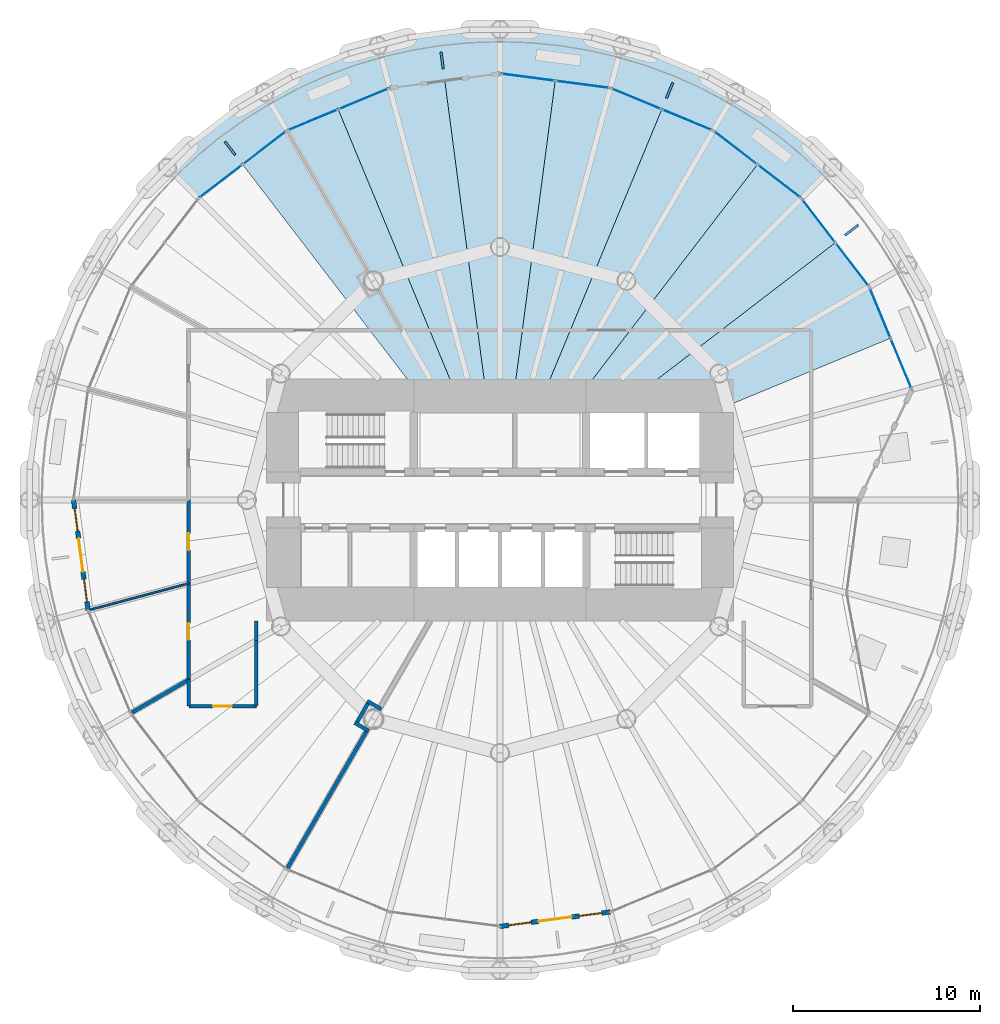
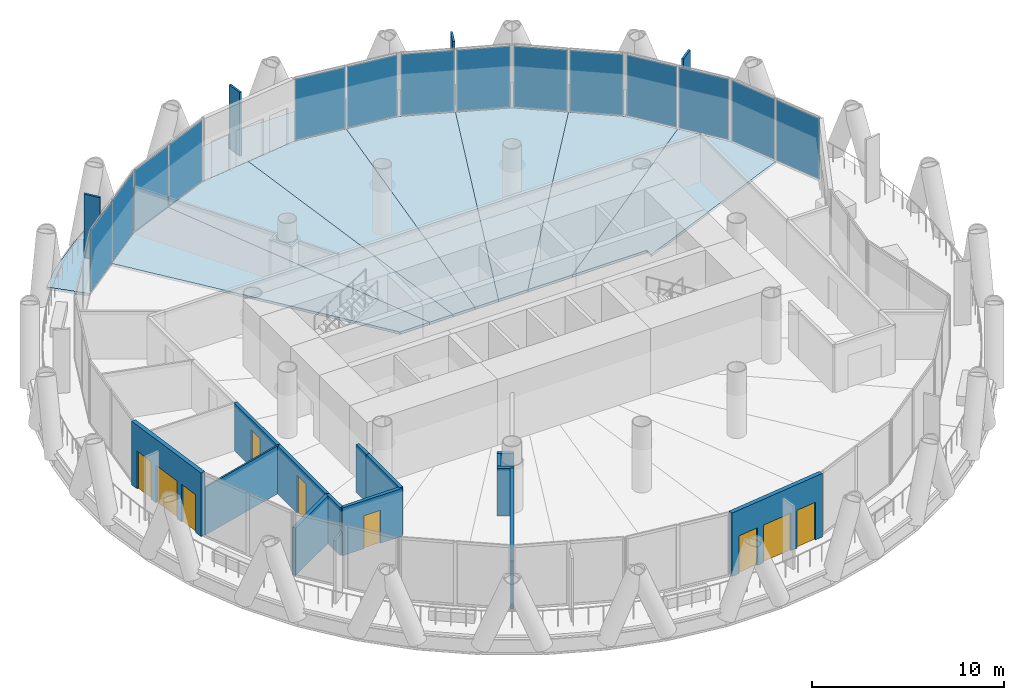
# One storey, part 9 of 15: 18 plates, 14 walls, 8 slabs, 5 doors, 4 windows, 9 openings, 7 elements without a shape of their own.
"""IFC4 building model written with IfcOpenShell, lengths in metres."""

from ifc_helpers import new_model, si_unit, direction, frame, frame_2d, origin, origin_2d, place, context, subcontext, project, spatial, polyline, rectangle, outline, extrude, material, layer, layer_set, type_object, element, fill, aggregate, save


model = new_model("IFC4")

# Units and contexts
model_context = context("Model", 3, precision=1e-05, world=origin(), true_north=direction((0.0, 1.0)))
body_context = subcontext(model_context, "Body", "Model", "MODEL_VIEW")
ifc_project = project(units=[si_unit("LENGTHUNIT", "METRE"), si_unit("AREAUNIT", "SQUARE_METRE"), si_unit("VOLUMEUNIT", "CUBIC_METRE"), si_unit("PLANEANGLEUNIT", "RADIAN"), si_unit("MASSUNIT", "GRAM", prefix="KILO")], contexts=[model_context])

# Site, building, storey
site_placement = place(None, origin())
site = spatial("IfcSite", under=ifc_project, at=site_placement, CompositionType="ELEMENT")
building_placement = place(site_placement, origin())
building = spatial("IfcBuilding", under=site, at=building_placement, Name="Qaws Media Tower", CompositionType="ELEMENT")
storey_placement = place(building_placement, frame((0.0, 0.0, 122.60009765625)))
storey = spatial("IfcBuildingStorey", under=building, at=storey_placement, Name="L27", CompositionType="ELEMENT", Elevation=122.60009765625)

# Slabs
ifc_material_1 = material(Name="Concrete C35/45", Category="concrete")
ifc_layer_1 = layer(ifc_material_1, 0.159912109375)
ifc_layer_set_1 = layer_set([ifc_layer_1], Name="Composite balcony slab 160")
slab_type_1 = type_object("IfcSlabType", Name="Composite balcony slab 160", PredefinedType="FLOOR", material=ifc_layer_set_1)
slab_1_placement = place(storey_placement, frame((0.0, 0.0, -0.16015625)))
element("IfcSlab", 1, at=slab_1_placement, inside=storey, type_object=slab_type_1, Name="S2 balcony slab L27 R04 to R10, movement joints on R04 and R10", PredefinedType="FLOOR", context=body_context, shape_type="SweptSolid", body=[
    extrude(outline(polyline([(43.41748046875, 68.90869140625), (46.02734375, 70.91162109375), (48.87646484375, 72.556396484375), (51.915771484375, 73.815185546875), (55.093505859375, 74.666748046875), (58.35498046875, 75.09619140625), (61.64501953125, 75.09619140625), (64.906494140625, 74.666748046875), (68.084228515625, 73.815185546875), (71.12353515625, 72.556396484375), (73.97265625, 70.91162109375), (76.58251953125, 68.90869140625), (77.74560546875, 67.74560546875), (76.086669921875, 66.086669921875), (71.375, 69.7021484375), (65.88818359375, 71.974853515625), (60.0, 72.75), (54.11181640625, 71.974853515625), (48.625, 69.7021484375), (43.913330078125, 66.086669921875), (42.25439453125, 67.74560546875), (43.41748046875, 68.90869140625)])), origin(), (0.0, 0.0, 1.0), 0.16015625),
])
ifc_material_2 = material(Name="Concrete C35/45", Category="concrete")
ifc_layer_2 = layer(ifc_material_2, 0.159912109375)
ifc_layer_set_2 = layer_set([ifc_layer_2], Name="Composite floor slab 160")
slab_type_2 = type_object("IfcSlabType", Name="Composite floor slab 160", PredefinedType="FLOOR", material=ifc_layer_set_2)
slab_2_placement = place(storey_placement, frame((0.0, 0.0, -0.16015625)))
element("IfcSlab", 2, at=slab_2_placement, inside=storey, type_object=slab_type_2, Name="S1 floor panel L27 on R03", PredefinedType="FLOOR", context=body_context, shape_type="SweptSolid", body=[
    extrude(outline(polyline([(79.7021484375, 61.375), (80.83837890625, 58.631591796875), (71.0, 54.556396484375), (71.0, 55.0), (66.51611328125, 55.0), (77.894287109375, 63.730712890625), (79.7021484375, 61.375)])), origin(), (0.0, 0.0, 1.0), 0.16015625),
])
slab_3_placement = place(storey_placement, frame((0.0, 0.0, -0.16015625)))
element("IfcSlab", 3, at=slab_3_placement, inside=storey, type_object=slab_type_2, Name="S1 floor panel L27 on R04", PredefinedType="FLOOR", context=body_context, shape_type="SweptSolid", body=[
    extrude(outline(polyline([(76.086669921875, 66.086669921875), (77.894287109375, 63.730712890625), (66.51611328125, 55.0), (63.836669921875, 55.0), (73.730712890625, 67.894287109375), (76.086669921875, 66.086669921875)])), origin(), (0.0, 0.0, 1.0), 0.16015625),
])
slab_4_placement = place(storey_placement, frame((0.0, 0.0, -0.16015625)))
element("IfcSlab", 4, at=slab_4_placement, inside=storey, type_object=slab_type_2, Name="S1 floor panel L27 on R05", PredefinedType="FLOOR", context=body_context, shape_type="SweptSolid", body=[
    extrude(outline(polyline([(71.375, 69.7021484375), (73.730712890625, 67.894287109375), (63.836669921875, 55.0), (62.071044921875, 55.0), (68.631591796875, 70.83837890625), (71.375, 69.7021484375)])), origin(), (0.0, 0.0, 1.0), 0.16015625),
])
slab_5_placement = place(storey_placement, frame((0.0, 0.0, -0.16015625)))
element("IfcSlab", 5, at=slab_5_placement, inside=storey, type_object=slab_type_2, Name="S1 floor panel L27 on R06", PredefinedType="FLOOR", context=body_context, shape_type="SweptSolid", body=[
    extrude(outline(polyline([(65.88818359375, 71.974853515625), (68.631591796875, 70.83837890625), (62.071044921875, 55.0), (60.658203125, 55.0), (62.944091796875, 72.3623046875), (65.88818359375, 71.974853515625)])), origin(), (0.0, 0.0, 1.0), 0.16015625),
])
slab_6_placement = place(storey_placement, frame((0.0, 0.0, -0.16015625)))
element("IfcSlab", 6, at=slab_6_placement, inside=storey, type_object=slab_type_2, Name="S1 floor panel L27 on R07", PredefinedType="FLOOR", context=body_context, shape_type="SweptSolid", body=[
    extrude(outline(polyline([(60.0, 72.75), (62.944091796875, 72.3623046875), (60.658203125, 55.0), (59.341796875, 55.0), (57.055908203125, 72.3623046875), (60.0, 72.75)])), origin(), (0.0, 0.0, 1.0), 0.16015625),
])
slab_7_placement = place(storey_placement, frame((0.0, 0.0, -0.16015625)))
element("IfcSlab", 7, at=slab_7_placement, inside=storey, type_object=slab_type_2, Name="S1 floor panel L27 on R08", PredefinedType="FLOOR", context=body_context, shape_type="SweptSolid", body=[
    extrude(outline(polyline([(54.11181640625, 71.974853515625), (57.055908203125, 72.3623046875), (59.341796875, 55.0), (57.928955078125, 55.0), (51.368408203125, 70.83837890625), (54.11181640625, 71.974853515625)])), origin(), (0.0, 0.0, 1.0), 0.16015625),
])
slab_8_placement = place(storey_placement, frame((0.0, 0.0, -0.16015625)))
element("IfcSlab", 8, at=slab_8_placement, inside=storey, type_object=slab_type_2, Name="S1 floor panel L27 on R09", PredefinedType="FLOOR", context=body_context, shape_type="SweptSolid", body=[
    extrude(outline(polyline([(48.625, 69.7021484375), (51.368408203125, 70.83837890625), (57.928955078125, 55.0), (56.163330078125, 55.0), (46.269287109375, 67.894287109375), (48.625, 69.7021484375)])), origin(), (0.0, 0.0, 1.0), 0.16015625),
])

# Curtain wall, plates
ifc_material_3 = material(Name="Aluminium and clear glass", Category="aluminium")
curtain_wall_type = type_object("IfcCurtainWallType", Name="Unitised curtain wall CW-B", PredefinedType="NOTDEFINED", material=ifc_material_3)
curtain_wall_1_placement = place(storey_placement, origin())
curtain_wall_1 = element("IfcCurtainWall", 9, at=curtain_wall_1_placement, inside=storey, type_object=curtain_wall_type, Name="CWB curtain wall L27-02", PredefinedType="NOTDEFINED")
ifc_material_4 = material(Name="Clear laminated double glazing", Category="glass")
ifc_layer_3 = layer(ifc_material_4, 0.031982421875)
ifc_layer_set_3 = layer_set([ifc_layer_3], Name="Curtain wall glass unit 32")
plate_type_1 = type_object("IfcPlateType", Name="Curtain wall glass unit 32", PredefinedType="CURTAIN_PANEL", material=ifc_layer_set_3)
plate_1_placement = place(storey_placement, frame((81.39892578125, 57.2783203125, 0.080078125), z_axis=(0.0, 0.0, 1.0), x_axis=(-0.382683471693, 0.923879516221, 0.0)))
plate_1 = element("IfcPlate", 10, at=plate_1_placement, type_object=plate_type_1, Name="CWB panel 1.1", PredefinedType="CURTAIN_PANEL", context=body_context, shape_type="SweptSolid", body=[
    extrude(rectangle(XDim=2.849365234375, YDim=0.031982421875, at=origin_2d()), origin(), (0.0, 0.0, 1.0), 3.8798828125),
])
plate_2_placement = place(storey_placement, frame((80.27783203125, 59.98486328125, 0.080078125), z_axis=(0.0, 0.0, 1.0), x_axis=(-0.382683471693, 0.923879516221, 0.0)))
plate_2 = element("IfcPlate", 11, at=plate_2_placement, type_object=plate_type_1, Name="CWB panel 2.1", PredefinedType="CURTAIN_PANEL", context=body_context, shape_type="SweptSolid", body=[
    extrude(rectangle(XDim=2.849365234375, YDim=0.031982421875, at=origin_2d()), origin(), (0.0, 0.0, 1.0), 3.8798828125),
])
aggregate(curtain_wall_1, [plate_1, plate_2])

curtain_wall_2_placement = place(storey_placement, origin())
curtain_wall_2 = element("IfcCurtainWall", 12, at=curtain_wall_2_placement, inside=storey, type_object=curtain_wall_type, Name="CWB curtain wall L27-03", PredefinedType="NOTDEFINED")
plate_3_placement = place(storey_placement, frame((78.7861328125, 62.56884765625, 0.080078125), z_axis=(0.0, 0.0, 1.0), x_axis=(-0.608761486721, 0.793353296007, 0.0)))
plate_3 = element("IfcPlate", 13, at=plate_3_placement, type_object=plate_type_1, Name="CWB panel 1.1", PredefinedType="CURTAIN_PANEL", context=body_context, shape_type="SweptSolid", body=[
    extrude(rectangle(XDim=2.849365234375, YDim=0.031982421875, at=origin_2d()), origin(), (0.0, 0.0, 1.0), 3.8798828125),
])
plate_4_placement = place(storey_placement, frame((77.002685546875, 64.892822265625, 0.080078125), z_axis=(0.0, 0.0, 1.0), x_axis=(-0.608761486721, 0.793353296007, 0.0)))
plate_4 = element("IfcPlate", 14, at=plate_4_placement, type_object=plate_type_1, Name="CWB panel 2.1", PredefinedType="CURTAIN_PANEL", context=body_context, shape_type="SweptSolid", body=[
    extrude(rectangle(XDim=2.849365234375, YDim=0.031982421875, at=origin_2d()), origin(), (0.0, 0.0, 1.0), 3.8798828125),
])
aggregate(curtain_wall_2, [plate_3, plate_4])

curtain_wall_3_placement = place(storey_placement, origin())
curtain_wall_3 = element("IfcCurtainWall", 15, at=curtain_wall_3_placement, inside=storey, type_object=curtain_wall_type, Name="CWB curtain wall L27-04", PredefinedType="NOTDEFINED")
plate_5_placement = place(storey_placement, frame((74.892822265625, 67.002685546875, 0.080078125), z_axis=(0.0, 0.0, 1.0), x_axis=(-0.793353296007, 0.608761486721, 0.0)))
plate_5 = element("IfcPlate", 16, at=plate_5_placement, type_object=plate_type_1, Name="CWB panel 1.1", PredefinedType="CURTAIN_PANEL", context=body_context, shape_type="SweptSolid", body=[
    extrude(rectangle(XDim=2.849365234375, YDim=0.031982421875, at=origin_2d()), origin(), (0.0, 0.0, 1.0), 3.8798828125),
])
plate_6_placement = place(storey_placement, frame((72.56884765625, 68.7861328125, 0.080078125), z_axis=(0.0, 0.0, 1.0), x_axis=(-0.793353296007, 0.608761486721, 0.0)))
plate_6 = element("IfcPlate", 17, at=plate_6_placement, type_object=plate_type_1, Name="CWB panel 2.1", PredefinedType="CURTAIN_PANEL", context=body_context, shape_type="SweptSolid", body=[
    extrude(rectangle(XDim=2.849365234375, YDim=0.031982421875, at=origin_2d()), origin(), (0.0, 0.0, 1.0), 3.8798828125),
])
aggregate(curtain_wall_3, [plate_5, plate_6])

curtain_wall_4_placement = place(storey_placement, origin())
curtain_wall_4 = element("IfcCurtainWall", 18, at=curtain_wall_4_placement, inside=storey, type_object=curtain_wall_type, Name="CWB curtain wall L27-05", PredefinedType="NOTDEFINED")
plate_7_placement = place(storey_placement, frame((69.98486328125, 70.27783203125, 0.080078125), z_axis=(0.0, 0.0, 1.0), x_axis=(-0.923879516221, 0.382683471693, 0.0)))
plate_7 = element("IfcPlate", 19, at=plate_7_placement, type_object=plate_type_1, Name="CWB panel 1.1", PredefinedType="CURTAIN_PANEL", context=body_context, shape_type="SweptSolid", body=[
    extrude(rectangle(XDim=2.849365234375, YDim=0.031982421875, at=origin_2d()), origin(), (0.0, 0.0, 1.0), 3.8798828125),
])
plate_8_placement = place(storey_placement, frame((67.2783203125, 71.39892578125, 0.080078125), z_axis=(0.0, 0.0, 1.0), x_axis=(-0.923879516221, 0.382683471693, 0.0)))
plate_8 = element("IfcPlate", 20, at=plate_8_placement, type_object=plate_type_1, Name="CWB panel 2.1", PredefinedType="CURTAIN_PANEL", context=body_context, shape_type="SweptSolid", body=[
    extrude(rectangle(XDim=2.849365234375, YDim=0.031982421875, at=origin_2d()), origin(), (0.0, 0.0, 1.0), 3.8798828125),
])
aggregate(curtain_wall_4, [plate_7, plate_8])

curtain_wall_5_placement = place(storey_placement, origin())
curtain_wall_5 = element("IfcCurtainWall", 21, at=curtain_wall_5_placement, inside=storey, type_object=curtain_wall_type, Name="CWB curtain wall L27-06", PredefinedType="NOTDEFINED")
plate_9_placement = place(storey_placement, frame((64.396240234375, 72.171142578125, 0.080078125), z_axis=(0.0, 0.0, 1.0), x_axis=(-0.991444870429, 0.130526123437, 0.0)))
plate_9 = element("IfcPlate", 22, at=plate_9_placement, type_object=plate_type_1, Name="CWB panel 1.1", PredefinedType="CURTAIN_PANEL", context=body_context, shape_type="SweptSolid", body=[
    extrude(rectangle(XDim=2.849365234375, YDim=0.031982421875, at=origin_2d()), origin(), (0.0, 0.0, 1.0), 3.8798828125),
])
plate_10_placement = place(storey_placement, frame((61.491943359375, 72.5537109375, 0.080078125), z_axis=(0.0, 0.0, 1.0), x_axis=(-0.991444870429, 0.130526123437, 0.0)))
plate_10 = element("IfcPlate", 23, at=plate_10_placement, type_object=plate_type_1, Name="CWB panel 2.1", PredefinedType="CURTAIN_PANEL", context=body_context, shape_type="SweptSolid", body=[
    extrude(rectangle(XDim=2.849365234375, YDim=0.031982421875, at=origin_2d()), origin(), (0.0, 0.0, 1.0), 3.8798828125),
])
aggregate(curtain_wall_5, [plate_9, plate_10])

curtain_wall_6_placement = place(storey_placement, origin())
curtain_wall_6 = element("IfcCurtainWall", 24, at=curtain_wall_6_placement, inside=storey, type_object=curtain_wall_type, Name="CWB curtain wall L27-08", PredefinedType="NOTDEFINED")
plate_11_placement = place(storey_placement, frame((52.7216796875, 71.39892578125, 0.080078125), z_axis=(0.0, 0.0, 1.0), x_axis=(-0.923879516221, -0.382683471693, 0.0)))
plate_11 = element("IfcPlate", 25, at=plate_11_placement, type_object=plate_type_1, Name="CWB panel 1.1", PredefinedType="CURTAIN_PANEL", context=body_context, shape_type="SweptSolid", body=[
    extrude(rectangle(XDim=2.849365234375, YDim=0.031982421875, at=origin_2d()), origin(), (0.0, 0.0, 1.0), 3.8798828125),
])
plate_12_placement = place(storey_placement, frame((50.01513671875, 70.27783203125, 0.080078125), z_axis=(0.0, 0.0, 1.0), x_axis=(-0.923879516221, -0.382683471693, 0.0)))
plate_12 = element("IfcPlate", 26, at=plate_12_placement, type_object=plate_type_1, Name="CWB panel 2.1", PredefinedType="CURTAIN_PANEL", context=body_context, shape_type="SweptSolid", body=[
    extrude(rectangle(XDim=2.849365234375, YDim=0.031982421875, at=origin_2d()), origin(), (0.0, 0.0, 1.0), 3.8798828125),
])
aggregate(curtain_wall_6, [plate_11, plate_12])

curtain_wall_7_placement = place(storey_placement, origin())
curtain_wall_7 = element("IfcCurtainWall", 27, at=curtain_wall_7_placement, inside=storey, type_object=curtain_wall_type, Name="CWB curtain wall L27-09", PredefinedType="NOTDEFINED")
plate_13_placement = place(storey_placement, frame((47.43115234375, 68.7861328125, 0.080078125), z_axis=(0.0, 0.0, 1.0), x_axis=(-0.793353296007, -0.608761486721, 0.0)))
plate_13 = element("IfcPlate", 28, at=plate_13_placement, type_object=plate_type_1, Name="CWB panel 1.1", PredefinedType="CURTAIN_PANEL", context=body_context, shape_type="SweptSolid", body=[
    extrude(rectangle(XDim=2.849365234375, YDim=0.031982421875, at=origin_2d()), origin(), (0.0, 0.0, 1.0), 3.8798828125),
])
plate_14_placement = place(storey_placement, frame((45.107177734375, 67.002685546875, 0.080078125), z_axis=(0.0, 0.0, 1.0), x_axis=(-0.793353296007, -0.608761486721, 0.0)))
plate_14 = element("IfcPlate", 29, at=plate_14_placement, type_object=plate_type_1, Name="CWB panel 2.1", PredefinedType="CURTAIN_PANEL", context=body_context, shape_type="SweptSolid", body=[
    extrude(rectangle(XDim=2.849365234375, YDim=0.031982421875, at=origin_2d()), origin(), (0.0, 0.0, 1.0), 3.8798828125),
])
aggregate(curtain_wall_7, [plate_13, plate_14])

# Plates
ifc_material_5 = material(Name="Precast concrete screen fin", Category="concrete")
ifc_layer_4 = layer(ifc_material_5, 0.1201171875)
ifc_layer_set_4 = layer_set([ifc_layer_4], Name="Screen fin 120x900")
plate_type_2 = type_object("IfcPlateType", Name="Screen fin 120x900", PredefinedType="USERDEFINED", material=ifc_layer_set_4)
for number, where, z_axis, x_axis, name in (
    (30, (78.7626953125, 64.397216796875, 0.0), (0.0, 0.0, 1.0), (0.793353340291, 0.608761429009, 0.0), "SCR1 screen fin L27-02"),
    (31, (69.050537109375, 71.849853515625, 0.0), (0.0, 0.0, 1.0), (0.382683432365, 0.923879532511, 0.0), "SCR1 screen fin L27-03"),
    (32, (56.9130859375, 73.44775390625, 0.0), (0.0, 0.0, 1.0), (-0.13052619222, 0.991444861374, 0.0), "SCR1 screen fin L27-04"),
    (33, (45.602783203125, 68.7626953125, 0.0), (0.0, 0.0, 1.0), (-0.608761429009, 0.793353340291, 0.0), "SCR1 screen fin L27-05"),
):
    element("IfcPlate", number, at=place(storey_placement, frame(where, z_axis=z_axis, x_axis=x_axis)), inside=storey, type_object=plate_type_2, Name=name, ObjectType="SCREEN", PredefinedType="USERDEFINED", context=body_context, shape_type="SweptSolid", body=[
        extrude(rectangle(XDim=0.89990234375, YDim=0.1201171875, at=origin_2d()), origin(), (0.0, 0.0, 1.0), 4.0400390625),
    ])

# Wall, openings, door, windows
ifc_material_6 = material(Name="Precast concrete, exposed finish", Category="concrete")
ifc_layer_5 = layer(ifc_material_6, 0.25)
ifc_layer_set_5 = layer_set([ifc_layer_5], Name="Balcony door wall 250")
wall_type_1 = type_object("IfcWallType", Name="Balcony door wall 250", PredefinedType="SOLIDWALL", material=ifc_layer_set_5)
wall_1_placement = place(storey_placement, frame((37.25, 50.0, 0.0), z_axis=(0.0, 0.0, 1.0), x_axis=(0.130518315254, -0.991445898364, 0.0)))
wall_1 = element("IfcWall", 34, at=wall_1_placement, inside=storey, type_object=wall_type_1, Name="W178 EW1 balcony door wall L27-13", PredefinedType="SOLIDWALL", context=body_context, shape_type="SweptSolid", body=[
    extrude(rectangle(XDim=5.93896484375, YDim=0.25, at=frame_2d((2.969482421875, 0.0))), origin(), (0.0, 0.0, 1.0), 4.039794921875),
])
opening_1_placement = place(wall_1_placement, frame((2.069580078125, 0.0, 0.0)))
opening_1 = element("IfcOpeningElement", 35, at=opening_1_placement, cuts=wall_1, Name="Opening D7", PredefinedType="OPENING", context=body_context, shape_type="SweptSolid", body=[
    extrude(rectangle(XDim=1.800048828125, YDim=2.39990234375, at=frame_2d((0.89990234375, 1.199951171875))), frame((0.0, 0.135009765625, 0.0), z_axis=(0.0, -1.0, 0.0), x_axis=(1.0, 0.0, 0.0)), (0.0, 0.0, 1.0), 0.27001953125),
])
opening_2_placement = place(wall_1_placement, frame((0.469482421875, 0.0, 0.0)))
opening_2 = element("IfcOpeningElement", 36, at=opening_2_placement, cuts=wall_1, Name="Opening W1", PredefinedType="OPENING", context=body_context, shape_type="SweptSolid", body=[
    extrude(rectangle(XDim=1.199951171875, YDim=2.39990234375, at=frame_2d((0.60009765625, 1.199951171875))), frame((0.0, 0.135009765625, 0.0), z_axis=(0.0, -1.0, 0.0), x_axis=(1.0, 0.0, 0.0)), (0.0, 0.0, 1.0), 0.27001953125),
])
opening_3_placement = place(wall_1_placement, frame((4.26953125, 0.0, 0.0)))
opening_3 = element("IfcOpeningElement", 37, at=opening_3_placement, cuts=wall_1, Name="Opening W1", PredefinedType="OPENING", context=body_context, shape_type="SweptSolid", body=[
    extrude(rectangle(XDim=1.199951171875, YDim=2.39990234375, at=frame_2d((0.60009765625, 1.199951171875))), frame((0.0, 0.135009765625, 0.0), z_axis=(0.0, -1.0, 0.0), x_axis=(1.0, 0.0, 0.0)), (0.0, 0.0, 1.0), 0.27001953125),
])
ifc_material_7 = material(Name="Aluminium and clear glass", Category="aluminium")
door_type_1 = type_object("IfcDoorType", Name="Balcony door pair 1800", OperationType="DOUBLE_DOOR_SLIDING", PredefinedType="DOOR", material=ifc_material_7)
door_1_placement = place(opening_1_placement, origin())
door_1 = element("IfcDoor", 38, at=door_1_placement, inside=storey, type_object=door_type_1, Name="D7 balcony door L27-13 in wall W178", OperationType="DOUBLE_DOOR_SLIDING", OverallHeight=2.39990234375, OverallWidth=1.800048828125, PredefinedType="DOOR", context=body_context, shape_type="SweptSolid", body=[
    extrude(rectangle(XDim=1.800048828125, YDim=2.39990234375, at=frame_2d((0.89990234375, 1.199951171875))), frame((0.0, 0.02490234375, 0.0), z_axis=(0.0, -1.0, 0.0), x_axis=(1.0, 0.0, 0.0)), (0.0, 0.0, 1.0), 0.050048828125),
])
fill(opening_1, door_1)
ifc_material_8 = material(Name="Aluminium and clear glass", Category="aluminium")
window_type = type_object("IfcWindowType", Name="Balcony side window 1200", PartitioningType="SINGLE_PANEL", PredefinedType="WINDOW", material=ifc_material_8)
window_1_placement = place(opening_2_placement, origin())
window_1 = element("IfcWindow", 39, at=window_1_placement, inside=storey, type_object=window_type, Name="W1 balcony side light L27-13L", OverallHeight=2.39990234375, OverallWidth=1.199951171875, PartitioningType="SINGLE_PANEL", PredefinedType="WINDOW", context=body_context, shape_type="SweptSolid", body=[
    extrude(rectangle(XDim=1.199951171875, YDim=2.39990234375, at=frame_2d((0.60009765625, 1.199951171875))), frame((0.0, 0.030029296875, 0.0), z_axis=(0.0, -1.0, 0.0), x_axis=(1.0, 0.0, 0.0)), (0.0, 0.0, 1.0), 0.06005859375),
])
fill(opening_2, window_1)
window_2_placement = place(opening_3_placement, origin())
window_2 = element("IfcWindow", 40, at=window_2_placement, inside=storey, type_object=window_type, Name="W1 balcony side light L27-13R", OverallHeight=2.39990234375, OverallWidth=1.199951171875, PartitioningType="SINGLE_PANEL", PredefinedType="WINDOW", context=body_context, shape_type="SweptSolid", body=[
    extrude(rectangle(XDim=1.199951171875, YDim=2.39990234375, at=frame_2d((0.60009765625, 1.199951171875))), frame((0.0, 0.030029296875, 0.0), z_axis=(0.0, -1.0, 0.0), x_axis=(1.0, 0.0, 0.0)), (0.0, 0.0, 1.0), 0.06005859375),
])
fill(opening_3, window_2)

wall_2_placement = place(storey_placement, frame((60.0, 27.25, 0.0), z_axis=(0.0, 0.0, 1.0), x_axis=(0.991445898364, 0.130518315254, 0.0)))
wall_2 = element("IfcWall", 41, at=wall_2_placement, inside=storey, type_object=wall_type_1, Name="W179 EW1 balcony door wall L27-19", PredefinedType="SOLIDWALL", context=body_context, shape_type="SweptSolid", body=[
    extrude(rectangle(XDim=5.93896484375, YDim=0.25, at=frame_2d((2.969482421875, 0.0))), origin(), (0.0, 0.0, 1.0), 4.039794921875),
])
opening_4_placement = place(wall_2_placement, frame((2.069580078125, 0.0, 0.0)))
opening_4 = element("IfcOpeningElement", 42, at=opening_4_placement, cuts=wall_2, Name="Opening D7", PredefinedType="OPENING", context=body_context, shape_type="SweptSolid", body=[
    extrude(rectangle(XDim=1.800048828125, YDim=2.39990234375, at=frame_2d((0.89990234375, 1.199951171875))), frame((0.0, 0.135009765625, 0.0), z_axis=(0.0, -1.0, 0.0), x_axis=(1.0, 0.0, 0.0)), (0.0, 0.0, 1.0), 0.27001953125),
])
opening_5_placement = place(wall_2_placement, frame((0.469482421875, 0.0, 0.0)))
opening_5 = element("IfcOpeningElement", 43, at=opening_5_placement, cuts=wall_2, Name="Opening W1", PredefinedType="OPENING", context=body_context, shape_type="SweptSolid", body=[
    extrude(rectangle(XDim=1.199951171875, YDim=2.39990234375, at=frame_2d((0.60009765625, 1.199951171875))), frame((0.0, 0.135009765625, 0.0), z_axis=(0.0, -1.0, 0.0), x_axis=(1.0, 0.0, 0.0)), (0.0, 0.0, 1.0), 0.27001953125),
])
opening_6_placement = place(wall_2_placement, frame((4.26953125, 0.0, 0.0)))
opening_6 = element("IfcOpeningElement", 44, at=opening_6_placement, cuts=wall_2, Name="Opening W1", PredefinedType="OPENING", context=body_context, shape_type="SweptSolid", body=[
    extrude(rectangle(XDim=1.199951171875, YDim=2.39990234375, at=frame_2d((0.60009765625, 1.199951171875))), frame((0.0, 0.135009765625, 0.0), z_axis=(0.0, -1.0, 0.0), x_axis=(1.0, 0.0, 0.0)), (0.0, 0.0, 1.0), 0.27001953125),
])
door_2_placement = place(opening_4_placement, origin())
door_2 = element("IfcDoor", 45, at=door_2_placement, inside=storey, type_object=door_type_1, Name="D7 balcony door L27-19 in wall W179", OperationType="DOUBLE_DOOR_SLIDING", OverallHeight=2.39990234375, OverallWidth=1.800048828125, PredefinedType="DOOR", context=body_context, shape_type="SweptSolid", body=[
    extrude(rectangle(XDim=1.800048828125, YDim=2.39990234375, at=frame_2d((0.89990234375, 1.199951171875))), frame((0.0, 0.02490234375, 0.0), z_axis=(0.0, -1.0, 0.0), x_axis=(1.0, 0.0, 0.0)), (0.0, 0.0, 1.0), 0.050048828125),
])
fill(opening_4, door_2)
window_3_placement = place(opening_5_placement, origin())
window_3 = element("IfcWindow", 46, at=window_3_placement, inside=storey, type_object=window_type, Name="W1 balcony side light L27-19L", OverallHeight=2.39990234375, OverallWidth=1.199951171875, PartitioningType="SINGLE_PANEL", PredefinedType="WINDOW", context=body_context, shape_type="SweptSolid", body=[
    extrude(rectangle(XDim=1.199951171875, YDim=2.39990234375, at=frame_2d((0.60009765625, 1.199951171875))), frame((0.0, 0.030029296875, 0.0), z_axis=(0.0, -1.0, 0.0), x_axis=(1.0, 0.0, 0.0)), (0.0, 0.0, 1.0), 0.06005859375),
])
fill(opening_5, window_3)
window_4_placement = place(opening_6_placement, origin())
window_4 = element("IfcWindow", 47, at=window_4_placement, inside=storey, type_object=window_type, Name="W1 balcony side light L27-19R", OverallHeight=2.39990234375, OverallWidth=1.199951171875, PartitioningType="SINGLE_PANEL", PredefinedType="WINDOW", context=body_context, shape_type="SweptSolid", body=[
    extrude(rectangle(XDim=1.199951171875, YDim=2.39990234375, at=frame_2d((0.60009765625, 1.199951171875))), frame((0.0, 0.030029296875, 0.0), z_axis=(0.0, -1.0, 0.0), x_axis=(1.0, 0.0, 0.0)), (0.0, 0.0, 1.0), 0.06005859375),
])
fill(opening_6, window_4)

# Walls
ifc_material_9 = material(Name="Gypsum board on 70 metal studs, single layer each side", Category="gypsum")
ifc_layer_6 = layer(ifc_material_9, 0.10009765625)
ifc_layer_set_6 = layer_set([ifc_layer_6], Name="Office stud partition 100")
wall_type_2 = type_object("IfcWallType", Name="Office stud partition 100", PredefinedType="PARTITIONING", material=ifc_layer_set_6)
wall_3_placement = place(storey_placement, frame((43.405517578125, 45.553466796875, 0.0), z_axis=(0.0, 0.0, 1.0), x_axis=(-0.965932799886, -0.258793017881, 0.0)))
element("IfcWall", 48, at=wall_3_placement, inside=storey, type_object=wall_type_2, Name="W660 IW4 partition L27", PredefinedType="PARTITIONING", context=body_context, shape_type="SweptSolid", body=[
    extrude(rectangle(XDim=5.43017578125, YDim=0.10009765625, at=frame_2d((2.715087890625, 0.0))), origin(), (0.0, 0.0, 1.0), 3.039794921875),
])
ifc_material_10 = material(Name="Gypsum board on galvanised metal studs, acoustic double stud, deflection head", Category="gypsum")
ifc_layer_7 = layer(ifc_material_10, 0.199951171875)
ifc_layer_set_7 = layer_set([ifc_layer_7], Name="Room partition 200")
wall_type_3 = type_object("IfcWallType", Name="Room partition 200", PredefinedType="PARTITIONING", material=ifc_layer_set_7)
wall_4_placement = place(storey_placement, frame((47.0, 43.550048828125, 0.0), z_axis=(0.0, 0.0, 1.0), x_axis=(0.0, -1.0, 0.0)))
element("IfcWall", 49, at=wall_4_placement, inside=storey, type_object=wall_type_3, Name="W1224 IW3 partition L27", PredefinedType="PARTITIONING", context=body_context, shape_type="SweptSolid", body=[
    extrude(rectangle(XDim=1.0556640625, YDim=0.199951171875, at=frame_2d((0.52783203125, 0.0))), origin(), (0.0, 0.0, 1.0), 3.039794921875),
])
wall_5_placement = place(storey_placement, frame((47.0, 42.494384765625, 0.0), z_axis=(0.0, 0.0, 1.0), x_axis=(0.0, -1.0, 0.0)))
element("IfcWall", 50, at=wall_5_placement, inside=storey, type_object=wall_type_3, Name="W1223 IW3 partition L27", PredefinedType="PARTITIONING", context=body_context, shape_type="SweptSolid", body=[
    extrude(rectangle(XDim=3.494384765625, YDim=0.199951171875, at=frame_2d((1.7470703125, 0.0))), origin(), (0.0, 0.0, 1.0), 3.039794921875),
])

# Wall, opening, door
wall_6_placement = place(storey_placement, frame((47.0, 39.0, 0.0), z_axis=(0.0, 0.0, 1.0), x_axis=(-1.0, 0.0, 0.0)))
wall_6 = element("IfcWall", 51, at=wall_6_placement, inside=storey, type_object=wall_type_3, Name="W1253 IW3 partition L27", PredefinedType="PARTITIONING", context=body_context, shape_type="SweptSolid", body=[
    extrude(rectangle(XDim=3.60009765625, YDim=0.199951171875, at=frame_2d((1.800048828125, 0.0))), origin(), (0.0, 0.0, 1.0), 3.039794921875),
])
opening_7_placement = place(wall_6_placement, frame((1.300048828125, 0.0, 0.0)))
opening_7 = element("IfcOpeningElement", 52, at=opening_7_placement, cuts=wall_6, Name="Opening D5", PredefinedType="OPENING", context=body_context, shape_type="SweptSolid", body=[
    extrude(rectangle(XDim=1.0, YDim=2.10009765625, at=frame_2d((0.5, 1.050048828125))), frame((0.0, 0.10986328125, 0.0), z_axis=(0.0, -1.0, 0.0), x_axis=(1.0, 0.0, 0.0)), (0.0, 0.0, 1.0), 0.219970703125),
])
ifc_material_11 = material(Name="Timber veneered, acoustic seal", Category="wood")
door_type_2 = type_object("IfcDoorType", Name="Room door 1000", OperationType="SINGLE_SWING_LEFT", PredefinedType="DOOR", material=ifc_material_11)
door_3_placement = place(opening_7_placement, origin())
door_3 = element("IfcDoor", 53, at=door_3_placement, inside=storey, type_object=door_type_2, Name="D5 Finance office door L27 in wall W1253", OperationType="SINGLE_SWING_LEFT", OverallHeight=2.10009765625, OverallWidth=1.0, PredefinedType="DOOR", context=body_context, shape_type="SweptSolid", body=[
    extrude(rectangle(XDim=1.0, YDim=2.10009765625, at=frame_2d((0.5, 1.050048828125))), frame((0.0, 0.02490234375, 0.0), z_axis=(0.0, -1.0, 0.0), x_axis=(1.0, 0.0, 0.0)), (0.0, 0.0, 1.0), 0.050048828125),
])
fill(opening_7, door_3)

# Wall
wall_7_placement = place(storey_placement, frame((43.39990234375, 39.0, 0.0), z_axis=(0.0, 0.0, 1.0), x_axis=(0.0, 1.0, 0.0)))
element("IfcWall", 54, at=wall_7_placement, inside=storey, type_object=wall_type_3, Name="W1245 IW3 partition L27", PredefinedType="PARTITIONING", context=body_context, shape_type="SweptSolid", body=[
    extrude(rectangle(XDim=1.416015625, YDim=0.199951171875, at=frame_2d((0.7080078125, 0.0))), origin(), (0.0, 0.0, 1.0), 3.039794921875),
])

# Wall, opening, door
wall_8_placement = place(storey_placement, frame((43.39990234375, 40.416015625, 0.0), z_axis=(0.0, 0.0, 1.0), x_axis=(0.0, 1.0, 0.0)))
wall_8 = element("IfcWall", 55, at=wall_8_placement, inside=storey, type_object=wall_type_3, Name="W1246 IW3 partition L27", PredefinedType="PARTITIONING", context=body_context, shape_type="SweptSolid", body=[
    extrude(rectangle(XDim=5.135986328125, YDim=0.199951171875, at=frame_2d((2.56787109375, 0.0))), origin(), (0.0, 0.0, 1.0), 3.039794921875),
])
opening_8_placement = place(wall_8_placement, frame((2.117919921875, 0.0, 0.0)))
opening_8 = element("IfcOpeningElement", 56, at=opening_8_placement, cuts=wall_8, Name="Opening D12", PredefinedType="OPENING", context=body_context, shape_type="SweptSolid", body=[
    extrude(rectangle(XDim=0.89990234375, YDim=2.39990234375, at=frame_2d((0.449951171875, 1.199951171875))), frame((0.0, 0.10986328125, 0.0), z_axis=(0.0, -1.0, 0.0), x_axis=(1.0, 0.0, 0.0)), (0.0, 0.0, 1.0), 0.219970703125),
])
ifc_material_12 = material(Name="Timber veneered, full height", Category="wood")
door_type_3 = type_object("IfcDoorType", Name="Office door 900x2400", OperationType="SINGLE_SWING_LEFT", PredefinedType="DOOR", material=ifc_material_12)
door_4_placement = place(opening_8_placement, origin())
door_4 = element("IfcDoor", 57, at=door_4_placement, inside=storey, type_object=door_type_3, Name="D12 Office door L27 in wall W1246", OperationType="SINGLE_SWING_LEFT", OverallHeight=2.39990234375, OverallWidth=0.89990234375, PredefinedType="DOOR", context=body_context, shape_type="SweptSolid", body=[
    extrude(rectangle(XDim=0.89990234375, YDim=2.39990234375, at=frame_2d((0.449951171875, 1.199951171875))), frame((0.0, 0.02490234375, 0.0), z_axis=(0.0, -1.0, 0.0), x_axis=(1.0, 0.0, 0.0)), (0.0, 0.0, 1.0), 0.050048828125),
])
fill(opening_8, door_4)

wall_9_placement = place(storey_placement, frame((43.39990234375, 45.552001953125, 0.0), z_axis=(0.0, 0.0, 1.0), x_axis=(0.0, 1.0, 0.0)))
wall_9 = element("IfcWall", 58, at=wall_9_placement, inside=storey, type_object=wall_type_3, Name="W1247 IW3 partition L27", PredefinedType="PARTITIONING", context=body_context, shape_type="SweptSolid", body=[
    extrude(rectangle(XDim=4.447998046875, YDim=0.199951171875, at=frame_2d((2.22412109375, 0.0))), origin(), (0.0, 0.0, 1.0), 3.039794921875),
])
opening_9_placement = place(wall_9_placement, frame((1.77392578125, 0.0, 0.0)))
opening_9 = element("IfcOpeningElement", 59, at=opening_9_placement, cuts=wall_9, Name="Opening D12", PredefinedType="OPENING", context=body_context, shape_type="SweptSolid", body=[
    extrude(rectangle(XDim=0.89990234375, YDim=2.39990234375, at=frame_2d((0.449951171875, 1.199951171875))), frame((0.0, 0.10986328125, 0.0), z_axis=(0.0, -1.0, 0.0), x_axis=(1.0, 0.0, 0.0)), (0.0, 0.0, 1.0), 0.219970703125),
])
door_5_placement = place(opening_9_placement, origin())
door_5 = element("IfcDoor", 60, at=door_5_placement, inside=storey, type_object=door_type_3, Name="D12 Office door L27 in wall W1247", OperationType="SINGLE_SWING_LEFT", OverallHeight=2.39990234375, OverallWidth=0.89990234375, PredefinedType="DOOR", context=body_context, shape_type="SweptSolid", body=[
    extrude(rectangle(XDim=0.89990234375, YDim=2.39990234375, at=frame_2d((0.449951171875, 1.199951171875))), frame((0.0, 0.02490234375, 0.0), z_axis=(0.0, -1.0, 0.0), x_axis=(1.0, 0.0, 0.0)), (0.0, 0.0, 1.0), 0.050048828125),
])
fill(opening_9, door_5)

# Walls
wall_10_placement = place(storey_placement, frame((43.406982421875, 40.419921875, 0.0), z_axis=(0.0, 0.0, 1.0), x_axis=(-0.8660424351, -0.499970499736, 0.0)))
element("IfcWall", 61, at=wall_10_placement, inside=storey, type_object=wall_type_3, Name="W1251 IW3 partition L27", PredefinedType="PARTITIONING", context=body_context, shape_type="SweptSolid", body=[
    extrude(rectangle(XDim=3.550048828125, YDim=0.199951171875, at=frame_2d((1.77490234375, 0.0))), origin(), (0.0, 0.0, 1.0), 3.039794921875),
])
for number, where, z_axis, x_axis, name in (
    (62, (53.670654296875, 38.837158203125, 0.0), (0.0, 0.0, 1.0), (-0.86607910459, 0.49990697594, 0.0), "W1257 IW3 partition return L27"),
    (63, (53.002685546875, 37.68017578125, 0.0), (0.0, 0.0, 1.0), (-0.86607910459, 0.49990697594, 0.0), "W1256 IW3 partition return L27"),
):
    element("IfcWall", number, at=place(storey_placement, frame(where, z_axis=z_axis, x_axis=x_axis)), inside=storey, type_object=wall_type_3, Name=name, PredefinedType="PARTITIONING", context=body_context, shape_type="SweptSolid", body=[
        extrude(rectangle(XDim=0.878173828125, YDim=0.199951171875, at=frame_2d((0.43896484375, 0.0))), origin(), (0.0, 0.0, 1.0), 3.02001953125),
    ])
wall_11_placement = place(storey_placement, frame((52.94677734375, 39.1396484375, 0.0), z_axis=(0.0, 0.0, 1.0), x_axis=(-0.499883687939, -0.866092546171, 0.0)))
element("IfcWall", 64, at=wall_11_placement, inside=storey, type_object=wall_type_3, Name="W1255 IW3 partition return L27", PredefinedType="PARTITIONING", context=body_context, shape_type="SweptSolid", body=[
    extrude(rectangle(XDim=1.135986328125, YDim=0.199951171875, at=frame_2d((0.56787109375, 0.0))), origin(), (0.0, 0.0, 1.0), 3.02001953125),
])
wall_12_placement = place(storey_placement, frame((52.865966796875, 37.6435546875, 0.0), z_axis=(0.0, 0.0, 1.0), x_axis=(-0.49999281717, -0.866029550753, 0.0)))
element("IfcWall", 65, at=wall_12_placement, inside=storey, type_object=wall_type_3, Name="W1254 IW3 partition L27", PredefinedType="PARTITIONING", context=body_context, shape_type="SweptSolid", body=[
    extrude(rectangle(XDim=8.44189453125, YDim=0.199951171875, at=frame_2d((4.220947265625, 0.0))), origin(), (0.0, 0.0, 1.0), 3.039794921875),
])

save(model, "model.ifc")
